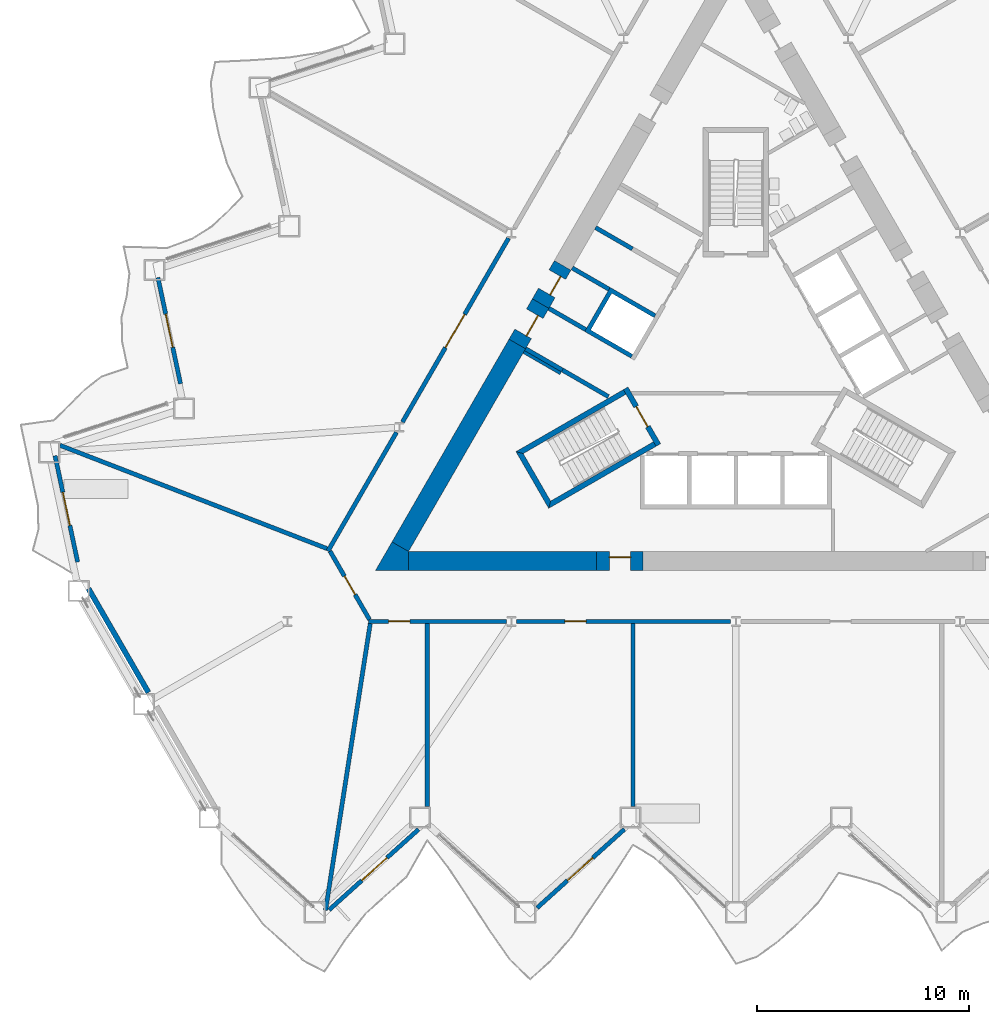
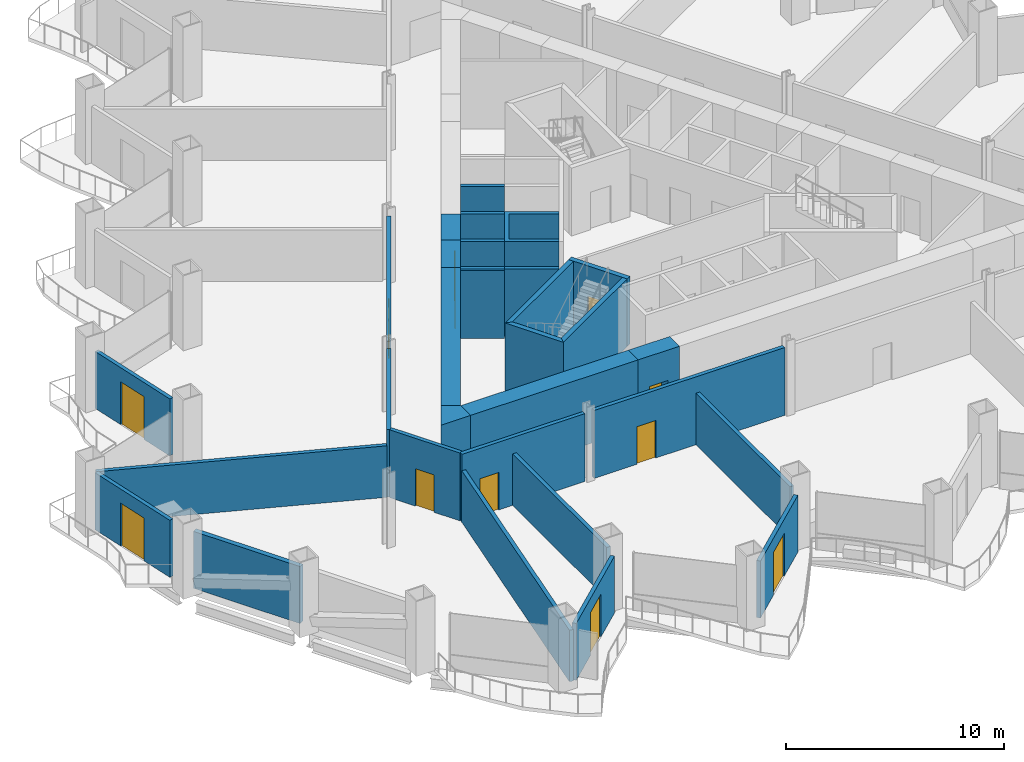
# One storey, part 9 of 21: 31 walls, 12 doors, 12 openings.
"""IFC4 building model written with IfcOpenShell, lengths in metres."""

from ifc_helpers import new_model, si_unit, direction, frame, frame_2d, origin, place, context, subcontext, project, spatial, polyline, rectangle, outline, extrude, material, layer, layer_set, type_object, element, fill, save


model = new_model("IFC4")

# Units and contexts
model_context = context("Model", 3, precision=1e-05, world=origin(), true_north=direction((0.0, 1.0)))
body_context = subcontext(model_context, "Body", "Model", "MODEL_VIEW")
ifc_project = project(units=[si_unit("LENGTHUNIT", "METRE"), si_unit("AREAUNIT", "SQUARE_METRE"), si_unit("VOLUMEUNIT", "CUBIC_METRE"), si_unit("PLANEANGLEUNIT", "RADIAN"), si_unit("MASSUNIT", "GRAM", prefix="KILO")], contexts=[model_context])

# Site, building, storey
site_placement = place(None, origin())
site = spatial("IfcSite", under=ifc_project, at=site_placement, CompositionType="ELEMENT")
building_placement = place(site_placement, origin())
building = spatial("IfcBuilding", under=site, at=building_placement, Name="Cormorant Prow Tower", CompositionType="ELEMENT")
storey_placement = place(building_placement, frame((0.0, 0.0, 46.800048828125)))
storey = spatial("IfcBuildingStorey", under=building, at=storey_placement, Name="L09", CompositionType="ELEMENT", Elevation=46.800048828125)

# Walls
ifc_material_1 = material(Name="Gypsum board partition")
ifc_layer_1 = layer(ifc_material_1, 0.14990234375)
ifc_layer_set_1 = layer_set([ifc_layer_1], Name="Gypsum board partition")
wall_type_1 = type_object("IfcWallType", Name="Core partition 150", PredefinedType="PARTITIONING", material=ifc_layer_set_1)
wall_1_placement = place(storey_placement, frame((-8.268310546875, -0.509033203125, 0.0), z_axis=(0.0, 0.0, 1.0), x_axis=(-0.866035824272, 0.499981950752, 0.0)))
element("IfcWall", 1, at=wall_1_placement, inside=storey, type_object=wall_type_1, Name="Service room partition", PredefinedType="PARTITIONING", context=body_context, shape_type="SweptSolid", body=[
    extrude(rectangle(XDim=2.0087890625, YDim=0.14990234375, at=frame_2d((1.00439453125, 0.0))), origin(), (0.0, 0.0, 1.0), 3.800048828125),
])
ifc_material_2 = material(Name="Concrete 8000 psi", Category="concrete")
ifc_layer_2 = layer(ifc_material_2, 0.89990234375)
ifc_layer_set_2 = layer_set([ifc_layer_2], Name="Concrete 8000 psi")
wall_type_2 = type_object("IfcWallType", Name="Core shear wall 900", PredefinedType="SHEAR", material=ifc_layer_set_2)
wall_2_placement = place(storey_placement, frame((-15.441162109375, -9.364990234375, 0.0), z_axis=(0.0, 0.0, 1.0), x_axis=(1.0, 0.0, 0.0)))
element("IfcWall", 2, at=wall_2_placement, inside=storey, type_object=wall_type_2, Name="Core wall", PredefinedType="SHEAR", context=body_context, shape_type="SweptSolid", body=[
    extrude(rectangle(XDim=8.87060546875, YDim=0.89990234375, at=frame_2d((4.435302734375, 0.0))), origin(), (0.0, 0.0, 1.0), 3.800048828125),
])
wall_3_placement = place(storey_placement, frame((-10.310302734375, 0.8720703125, 0.0), z_axis=(0.0, 0.0, 1.0), x_axis=(-0.499991697393, -0.866030197244, 0.0)))
element("IfcWall", 3, at=wall_3_placement, inside=storey, type_object=wall_type_2, Name="Core wall", PredefinedType="SHEAR", context=body_context, shape_type="SweptSolid", body=[
    extrude(rectangle(XDim=11.041259765625, YDim=0.89990234375, at=frame_2d((5.5205078125, 0.0))), origin(), (0.0, 0.0, 1.0), 3.800048828125),
])
wall_4_placement = place(storey_placement, origin())
element("IfcWall", 4, at=wall_4_placement, inside=storey, type_object=wall_type_2, Name="Core wall corner", PredefinedType="SHEAR", context=body_context, shape_type="SweptSolid", body=[
    extrude(outline(polyline([(-16.220703125, -8.465087890625), (-15.441162109375, -8.9150390625), (-15.441162109375, -9.81494140625), (-17.0, -9.81494140625), (-16.220703125, -8.465087890625)])), origin(), (0.0, 0.0, 1.0), 3.800048828125),
])

# Wall, opening, door
wall_5_placement = place(storey_placement, frame((-6.570556640625, -9.364990234375, 0.0), z_axis=(0.0, 0.0, 1.0), x_axis=(1.0, 0.0, 0.0)))
wall_5 = element("IfcWall", 5, at=wall_5_placement, inside=storey, type_object=wall_type_2, Name="Core wall door panel", PredefinedType="SHEAR", context=body_context, shape_type="SweptSolid", body=[
    extrude(rectangle(XDim=2.199951171875, YDim=0.89990234375, at=frame_2d((1.10009765625, 0.0))), origin(), (0.0, 0.0, 1.0), 3.800048828125),
])
opening_1_placement = place(wall_5_placement, frame((0.60009765625, 0.0, 0.0)))
opening_1 = element("IfcOpeningElement", 6, at=opening_1_placement, cuts=wall_5, Name="Opening L09-C16", PredefinedType="OPENING", context=body_context, shape_type="SweptSolid", body=[
    extrude(rectangle(XDim=1.0, YDim=2.10009765625, at=frame_2d((0.5, 1.050048828125))), frame((0.0, 0.4599609375, 0.0), z_axis=(0.0, -1.0, 0.0), x_axis=(1.0, 0.0, 0.0)), (0.0, 0.0, 1.0), 0.919921875),
])
ifc_material_3 = material(Name="Painted steel", Category="steel")
door_type_1 = type_object("IfcDoorType", Name="Service door 1000x2100", OperationType="NOTDEFINED", PredefinedType="DOOR", material=ifc_material_3)
door_1_placement = place(opening_1_placement, origin())
door_1 = element("IfcDoor", 7, at=door_1_placement, inside=storey, type_object=door_type_1, Name="Core door, Pantry store", OperationType="SINGLE_SWING_RIGHT", OverallHeight=2.10009765625, OverallWidth=1.0, PredefinedType="DOOR", context=body_context, shape_type="SweptSolid", body=[
    extrude(rectangle(XDim=1.0, YDim=2.10009765625, at=frame_2d((0.5, 1.050048828125))), frame((0.0, 0.205078125, 0.0), z_axis=(0.0, -1.0, 0.0), x_axis=(1.0, 0.0, 0.0)), (0.0, 0.0, 1.0), 0.050048828125),
])
fill(opening_1, door_1)

wall_6_placement = place(storey_placement, frame((-8.17041015625, 4.57861328125, 0.0), z_axis=(0.0, 0.0, 1.0), x_axis=(-0.499888406853, -0.866089822532, 0.0)))
wall_6 = element("IfcWall", 8, at=wall_6_placement, inside=storey, type_object=wall_type_2, Name="Core wall door panel", PredefinedType="SHEAR", context=body_context, shape_type="SweptSolid", body=[
    extrude(rectangle(XDim=2.080078125, YDim=0.89990234375, at=frame_2d((1.0400390625, 0.0))), origin(), (0.0, 0.0, 1.0), 3.800048828125),
])
opening_2_placement = place(wall_6_placement, frame((0.5, 0.0, 0.0)))
opening_2 = element("IfcOpeningElement", 9, at=opening_2_placement, cuts=wall_6, Name="Opening L09-C19", PredefinedType="OPENING", context=body_context, shape_type="SweptSolid", body=[
    extrude(rectangle(XDim=1.0, YDim=2.10009765625, at=frame_2d((0.5, 1.050048828125))), frame((0.0, 0.4599609375, 0.0), z_axis=(0.0, -1.0, 0.0), x_axis=(1.0, 0.0, 0.0)), (0.0, 0.0, 1.0), 0.919921875),
])
door_2_placement = place(opening_2_placement, origin())
door_2 = element("IfcDoor", 10, at=door_2_placement, inside=storey, type_object=door_type_1, Name="Core door, Telecom room", OperationType="SINGLE_SWING_LEFT", OverallHeight=2.10009765625, OverallWidth=1.0, PredefinedType="DOOR", context=body_context, shape_type="SweptSolid", body=[
    extrude(rectangle(XDim=1.0, YDim=2.10009765625, at=frame_2d((0.5, 1.050048828125))), frame((0.0, 0.205078125, 0.0), z_axis=(0.0, -1.0, 0.0), x_axis=(1.0, 0.0, 0.0)), (0.0, 0.0, 1.0), 0.050048828125),
])
fill(opening_2, door_2)

wall_7_placement = place(storey_placement, frame((-9.210205078125, 2.777099609375, 0.0), z_axis=(0.0, 0.0, 1.0), x_axis=(-0.500077893725, -0.86598042715, 0.0)))
wall_7 = element("IfcWall", 11, at=wall_7_placement, inside=storey, type_object=wall_type_2, Name="Core wall door panel", PredefinedType="SHEAR", context=body_context, shape_type="SweptSolid", body=[
    extrude(rectangle(XDim=2.199951171875, YDim=0.89990234375, at=frame_2d((1.10009765625, 0.0))), origin(), (0.0, 0.0, 1.0), 3.800048828125),
])
opening_3_placement = place(wall_7_placement, frame((0.550048828125, 0.0, 0.0)))
opening_3 = element("IfcOpeningElement", 12, at=opening_3_placement, cuts=wall_7, Name="Opening L09-C24", PredefinedType="OPENING", context=body_context, shape_type="SweptSolid", body=[
    extrude(rectangle(XDim=1.10009765625, YDim=2.10009765625, at=frame_2d((0.550048828125, 1.050048828125))), frame((0.0, 0.4599609375, 0.0), z_axis=(0.0, -1.0, 0.0), x_axis=(1.0, 0.0, 0.0)), (0.0, 0.0, 1.0), 0.919921875),
])
ifc_material_4 = material(Name="Painted steel", Category="steel")
door_type_2 = type_object("IfcDoorType", Name="Core door 1100x2100", OperationType="NOTDEFINED", PredefinedType="DOOR", material=ifc_material_4)
door_3_placement = place(opening_3_placement, origin())
door_3 = element("IfcDoor", 13, at=door_3_placement, inside=storey, type_object=door_type_2, Name="Core door, lift lobby", OperationType="SINGLE_SWING_LEFT", OverallHeight=2.10009765625, OverallWidth=1.10009765625, PredefinedType="DOOR", context=body_context, shape_type="SweptSolid", body=[
    extrude(rectangle(XDim=1.10009765625, YDim=2.10009765625, at=frame_2d((0.550048828125, 1.050048828125))), frame((0.0, 0.205078125, 0.0), z_axis=(0.0, -1.0, 0.0), x_axis=(1.0, 0.0, 0.0)), (0.0, 0.0, 1.0), 0.050048828125),
])
fill(opening_3, door_3)

ifc_material_5 = material(Name="Gypsum board corridor wall")
ifc_layer_3 = layer(ifc_material_5, 0.199951171875)
ifc_layer_set_3 = layer_set([ifc_layer_3], Name="Gypsum board corridor wall")
wall_type_3 = type_object("IfcWallType", Name="Corridor wall 200", PredefinedType="PARTITIONING", material=ifc_layer_set_3)
wall_8_placement = place(storey_placement, frame((-10.336181640625, -12.215087890625, 0.0), z_axis=(0.0, 0.0, 1.0), x_axis=(1.0, 0.0, 0.0)))
wall_8 = element("IfcWall", 14, at=wall_8_placement, inside=storey, type_object=wall_type_3, Name="Corridor wall", PredefinedType="PARTITIONING", context=body_context, shape_type="SweptSolid", body=[
    extrude(rectangle(XDim=10.093994140625, YDim=0.199951171875, at=frame_2d((5.046875, 0.0))), origin(), (0.0, 0.0, 1.0), 3.800048828125),
])
opening_4_placement = place(wall_8_placement, frame((2.27197265625, 0.0, 0.0)))
opening_4 = element("IfcOpeningElement", 15, at=opening_4_placement, cuts=wall_8, Name="Opening L09-F02", PredefinedType="OPENING", context=body_context, shape_type="SweptSolid", body=[
    extrude(rectangle(XDim=1.0, YDim=2.10009765625, at=frame_2d((0.5, 1.050048828125))), frame((0.0, 0.10986328125, 0.0), z_axis=(0.0, -1.0, 0.0), x_axis=(1.0, 0.0, 0.0)), (0.0, 0.0, 1.0), 0.219970703125),
])
ifc_material_6 = material(Name="Timber door leaf", Category="wood")
door_type_3 = type_object("IfcDoorType", Name="Office door 1000x2100", OperationType="NOTDEFINED", PredefinedType="DOOR", material=ifc_material_6)
door_4_placement = place(opening_4_placement, origin())
door_4 = element("IfcDoor", 16, at=door_4_placement, inside=storey, type_object=door_type_3, Name="Tenant suite door", OperationType="SINGLE_SWING_LEFT", OverallHeight=2.10009765625, OverallWidth=1.0, PredefinedType="DOOR", context=body_context, shape_type="SweptSolid", body=[
    extrude(rectangle(XDim=1.0, YDim=2.10009765625, at=frame_2d((0.5, 1.050048828125))), frame((0.0, 0.02490234375, 0.0), z_axis=(0.0, -1.0, 0.0), x_axis=(1.0, 0.0, 0.0)), (0.0, 0.0, 1.0), 0.050048828125),
])
fill(opening_4, door_4)

wall_9_placement = place(storey_placement, frame((-15.727783203125, -2.811279296875, 0.0), z_axis=(0.0, 0.0, 1.0), x_axis=(0.49999175339, 0.866030164915, 0.0)))
wall_9 = element("IfcWall", 17, at=wall_9_placement, inside=storey, type_object=wall_type_3, Name="Corridor wall", PredefinedType="PARTITIONING", context=body_context, shape_type="SweptSolid", body=[
    extrude(rectangle(XDim=10.018798828125, YDim=0.199951171875, at=frame_2d((5.00927734375, 0.0))), origin(), (0.0, 0.0, 1.0), 3.800048828125),
])
opening_5_placement = place(wall_9_placement, frame((4.059326171875, 0.0, 0.0)))
opening_5 = element("IfcOpeningElement", 18, at=opening_5_placement, cuts=wall_9, Name="Opening L09-F16", PredefinedType="OPENING", context=body_context, shape_type="SweptSolid", body=[
    extrude(rectangle(XDim=1.800048828125, YDim=2.10009765625, at=frame_2d((0.89990234375, 1.050048828125))), frame((0.0, 0.10986328125, 0.0), z_axis=(0.0, -1.0, 0.0), x_axis=(1.0, 0.0, 0.0)), (0.0, 0.0, 1.0), 0.219970703125),
])
ifc_material_7 = material(Name="Timber door leaf", Category="wood")
door_type_4 = type_object("IfcDoorType", Name="Double door 1800x2100", OperationType="DOUBLE_DOOR_SINGLE_SWING", PredefinedType="DOOR", material=ifc_material_7)
door_5_placement = place(opening_5_placement, origin())
door_5 = element("IfcDoor", 19, at=door_5_placement, inside=storey, type_object=door_type_4, Name="Open-plan office door", OperationType="DOUBLE_DOOR_SINGLE_SWING", OverallHeight=2.10009765625, OverallWidth=1.800048828125, PredefinedType="DOOR", context=body_context, shape_type="SweptSolid", body=[
    extrude(rectangle(XDim=1.800048828125, YDim=2.10009765625, at=frame_2d((0.89990234375, 1.050048828125))), frame((0.0, 0.02490234375, 0.0), z_axis=(0.0, -1.0, 0.0), x_axis=(1.0, 0.0, 0.0)), (0.0, 0.0, 1.0), 0.050048828125),
])
fill(opening_5, door_5)

wall_10_placement = place(storey_placement, frame((-17.330810546875, -12.215087890625, 0.0), z_axis=(0.0, 0.0, 1.0), x_axis=(1.0, 0.0, 0.0)))
wall_10 = element("IfcWall", 20, at=wall_10_placement, inside=storey, type_object=wall_type_3, Name="Corridor wall", PredefinedType="PARTITIONING", context=body_context, shape_type="SweptSolid", body=[
    extrude(rectangle(XDim=6.510009765625, YDim=0.199951171875, at=frame_2d((3.2548828125, 0.0))), origin(), (0.0, 0.0, 1.0), 3.800048828125),
])
opening_6_placement = place(wall_10_placement, frame((0.951416015625, 0.0, 0.0)))
opening_6 = element("IfcOpeningElement", 21, at=opening_6_placement, cuts=wall_10, Name="Opening L09-F01", PredefinedType="OPENING", context=body_context, shape_type="SweptSolid", body=[
    extrude(rectangle(XDim=1.0, YDim=2.10009765625, at=frame_2d((0.5, 1.050048828125))), frame((0.0, 0.10986328125, 0.0), z_axis=(0.0, -1.0, 0.0), x_axis=(1.0, 0.0, 0.0)), (0.0, 0.0, 1.0), 0.219970703125),
])
door_6_placement = place(opening_6_placement, origin())
door_6 = element("IfcDoor", 22, at=door_6_placement, inside=storey, type_object=door_type_3, Name="Meeting room door", OperationType="SINGLE_SWING_LEFT", OverallHeight=2.10009765625, OverallWidth=1.0, PredefinedType="DOOR", context=body_context, shape_type="SweptSolid", body=[
    extrude(rectangle(XDim=1.0, YDim=2.10009765625, at=frame_2d((0.5, 1.050048828125))), frame((0.0, 0.02490234375, 0.0), z_axis=(0.0, -1.0, 0.0), x_axis=(1.0, 0.0, 0.0)), (0.0, 0.0, 1.0), 0.050048828125),
])
fill(opening_6, door_6)

# Wall
wall_11_placement = place(storey_placement, frame((-19.243896484375, -8.901611328125, 0.0), z_axis=(0.0, 0.0, 1.0), x_axis=(0.499984737558, 0.86603421538, 0.0)))
element("IfcWall", 23, at=wall_11_placement, inside=storey, type_object=wall_type_3, Name="Corridor wall", PredefinedType="PARTITIONING", context=body_context, shape_type="SweptSolid", body=[
    extrude(rectangle(XDim=6.472900390625, YDim=0.199951171875, at=frame_2d((3.236328125, 0.0))), origin(), (0.0, 0.0, 1.0), 3.800048828125),
])

# Wall, opening, door
wall_12_placement = place(storey_placement, frame((-19.143798828125, -8.901611328125, 0.0), z_axis=(0.0, 0.0, 1.0), x_axis=(0.499958791762, -0.866049194065, 0.0)))
wall_12 = element("IfcWall", 24, at=wall_12_placement, inside=storey, type_object=wall_type_3, Name="Corridor wall", PredefinedType="PARTITIONING", context=body_context, shape_type="SweptSolid", body=[
    extrude(rectangle(XDim=3.725830078125, YDim=0.199951171875, at=frame_2d((1.86279296875, 0.0))), origin(), (0.0, 0.0, 1.0), 3.800048828125),
])
opening_7_placement = place(wall_12_placement, frame((1.363037109375, 0.0, 0.0)))
opening_7 = element("IfcOpeningElement", 25, at=opening_7_placement, cuts=wall_12, Name="Opening L09-F17", PredefinedType="OPENING", context=body_context, shape_type="SweptSolid", body=[
    extrude(rectangle(XDim=1.0, YDim=2.10009765625, at=frame_2d((0.5, 1.050048828125))), frame((0.0, 0.10986328125, 0.0), z_axis=(0.0, -1.0, 0.0), x_axis=(1.0, 0.0, 0.0)), (0.0, 0.0, 1.0), 0.219970703125),
])
door_7_placement = place(opening_7_placement, origin())
door_7 = element("IfcDoor", 26, at=door_7_placement, inside=storey, type_object=door_type_3, Name="Tenant reception door", OperationType="SINGLE_SWING_LEFT", OverallHeight=2.10009765625, OverallWidth=1.0, PredefinedType="DOOR", context=body_context, shape_type="SweptSolid", body=[
    extrude(rectangle(XDim=1.0, YDim=2.10009765625, at=frame_2d((0.5, 1.050048828125))), frame((0.0, 0.02490234375, 0.0), z_axis=(0.0, -1.0, 0.0), x_axis=(1.0, 0.0, 0.0)), (0.0, 0.0, 1.0), 0.050048828125),
])
fill(opening_7, door_7)

# Walls
ifc_material_8 = material(Name="Gypsum board demising wall")
ifc_layer_4 = layer(ifc_material_8, 0.199951171875)
ifc_layer_set_4 = layer_set([ifc_layer_4], Name="Gypsum board demising wall")
wall_type_4 = type_object("IfcWallType", Name="Demising wall 200", PredefinedType="PARTITIONING", material=ifc_layer_set_4)
wall_13_placement = place(storey_placement, frame((-19.354248046875, -25.8447265625, 0.0), z_axis=(0.0, 0.0, 1.0), x_axis=(0.153927101979, 0.98808220674, 0.0)))
element("IfcWall", 27, at=wall_13_placement, inside=storey, type_object=wall_type_4, Name="Demising wall", PredefinedType="PARTITIONING", context=body_context, shape_type="SweptSolid", body=[
    extrude(rectangle(XDim=13.694091796875, YDim=0.199951171875, at=frame_2d((6.84716796875, 0.0))), origin(), (0.0, 0.0, 1.0), 2.88525390625),
])
wall_14_placement = place(storey_placement, frame((-31.87939453125, -3.908447265625, 0.0), z_axis=(0.0, 0.0, 1.0), x_axis=(0.932669586354, -0.360731815467, 0.0)))
element("IfcWall", 28, at=wall_14_placement, inside=storey, type_object=wall_type_4, Name="Demising wall", PredefinedType="PARTITIONING", context=body_context, shape_type="SweptSolid", body=[
    extrude(rectangle(XDim=13.501220703125, YDim=0.199951171875, at=frame_2d((6.75048828125, 0.0))), origin(), (0.0, 0.0, 1.0), 2.88525390625),
])
for number, where, z_axis, x_axis, name in (
    (29, (-14.55810546875, -20.949951171875, 0.0), (0.0, 0.0, 1.0), (0.0, 1.0, 0.0), "Demising wall"),
    (30, (-4.852783203125, -20.949951171875, 0.0), (0.0, 0.0, 1.0), (0.0, 1.0, 0.0), "Demising wall"),
):
    element("IfcWall", number, at=place(storey_placement, frame(where, z_axis=z_axis, x_axis=x_axis)), inside=storey, type_object=wall_type_4, Name=name, PredefinedType="PARTITIONING", context=body_context, shape_type="SweptSolid", body=[
        extrude(rectangle(XDim=8.635009765625, YDim=0.199951171875, at=frame_2d((4.3173828125, 0.0))), origin(), (0.0, 0.0, 1.0), 2.88525390625),
    ])
ifc_material_9 = material(Name="Concrete 8000 psi", Category="concrete")
ifc_layer_5 = layer(ifc_material_9, 0.199951171875)
ifc_layer_set_5 = layer_set([ifc_layer_5], Name="Concrete 8000 psi")
wall_type_5 = type_object("IfcWallType", Name="Lift shaft wall 200", PredefinedType="SHEAR", material=ifc_layer_set_5)
wall_15_placement = place(storey_placement, origin())
element("IfcWall", 31, at=wall_15_placement, inside=storey, type_object=wall_type_5, Name="Lift shaft walls, WNW block", PredefinedType="SHEAR", context=body_context, shape_type="SweptSolid", body=[
    extrude(outline(polyline([(-6.060546875, -1.697021484375), (-8.230712890625, -0.444091796875), (-8.130859375, -0.27099609375), (-5.96044921875, -1.52392578125), (-6.060546875, -1.697021484375)])), origin(), (0.0, 0.0, 1.0), 3.800048828125),
])
wall_16_placement = place(storey_placement, origin())
element("IfcWall", 32, at=wall_16_placement, inside=storey, type_object=wall_type_5, Name="Lift shaft walls, WNW block", PredefinedType="SHEAR", context=body_context, shape_type="SweptSolid", body=[
    extrude(outline(polyline([(-4.96044921875, 0.2080078125), (-7.130859375, 1.461181640625), (-5.930908203125, 3.53955078125), (-3.760498046875, 2.28662109375), (-3.860595703125, 2.11328125), (-5.852294921875, 3.263427734375), (-6.852294921875, 1.53125), (-4.860595703125, 0.38134765625), (-4.96044921875, 0.2080078125)])), origin(), (0.0, 0.0, 1.0), 3.800048828125),
])
wall_17_placement = place(storey_placement, frame((-4.880859375, 5.3583984375, 0.0), z_axis=(0.0, 0.0, 1.0), x_axis=(-0.866035824272, 0.499981950752, 0.0)))
element("IfcWall", 33, at=wall_17_placement, inside=storey, type_object=wall_type_5, Name="Store side wall", PredefinedType="SHEAR", context=body_context, shape_type="SweptSolid", body=[
    extrude(rectangle(XDim=2.0087890625, YDim=0.199951171875, at=frame_2d((1.00439453125, 0.0))), origin(), (0.0, 0.0, 1.0), 3.800048828125),
])
wall_18_placement = place(storey_placement, frame((-5.980712890625, 3.452880859375, 0.0), z_axis=(0.0, 0.0, 1.0), x_axis=(-0.866013584312, 0.500020471368, 0.0)))
element("IfcWall", 34, at=wall_18_placement, inside=storey, type_object=wall_type_5, Name="Store side wall", PredefinedType="SHEAR", context=body_context, shape_type="SweptSolid", body=[
    extrude(rectangle(XDim=2.00927734375, YDim=0.199951171875, at=frame_2d((1.004638671875, 0.0))), origin(), (0.0, 0.0, 1.0), 3.800048828125),
])
wall_19_placement = place(storey_placement, frame((-7.080810546875, 1.547607421875, 0.0), z_axis=(0.0, 0.0, 1.0), x_axis=(-0.865983199114, 0.50007309351, 0.0)))
element("IfcWall", 35, at=wall_19_placement, inside=storey, type_object=wall_type_5, Name="Lobby passage wall", PredefinedType="SHEAR", context=body_context, shape_type="SweptSolid", body=[
    extrude(rectangle(XDim=2.009033203125, YDim=0.199951171875, at=frame_2d((1.00439453125, 0.0))), origin(), (0.0, 0.0, 1.0), 3.800048828125),
])
wall_20_placement = place(storey_placement, frame((-8.180908203125, -0.357421875, 0.0), z_axis=(0.0, 0.0, 1.0), x_axis=(-0.866035824272, 0.499981950752, 0.0)))
element("IfcWall", 36, at=wall_20_placement, inside=storey, type_object=wall_type_5, Name="Lobby passage wall", PredefinedType="SHEAR", context=body_context, shape_type="SweptSolid", body=[
    extrude(rectangle(XDim=2.0087890625, YDim=0.199951171875, at=frame_2d((1.00439453125, 0.0))), origin(), (0.0, 0.0, 1.0), 3.800048828125),
])
ifc_material_10 = material(Name="Concrete 8000 psi", Category="concrete")
ifc_layer_6 = layer(ifc_material_10, 0.25)
ifc_layer_set_6 = layer_set([ifc_layer_6], Name="Concrete 8000 psi")
wall_type_6 = type_object("IfcWallType", Name="Stair wall 250", PredefinedType="SHEAR", material=ifc_layer_set_6)
wall_21_placement = place(storey_placement, origin())
element("IfcWall", 37, at=wall_21_placement, inside=storey, type_object=wall_type_6, Name="Stair ST1 enclosure wall (flank)", PredefinedType="SHEAR", context=body_context, shape_type="SweptSolid", body=[
    extrude(outline(polyline([(-5.30712890625, -1.28125), (-10.37353515625, -4.206298828125), (-10.031982421875, -4.2978515625), (-5.18212890625, -1.497802734375), (-5.30712890625, -1.28125)])), origin(), (0.0, 0.0, 1.0), 3.800048828125),
])
wall_22_placement = place(storey_placement, origin())
element("IfcWall", 38, at=wall_22_placement, inside=storey, type_object=wall_type_6, Name="Stair ST1 enclosure wall (end)", PredefinedType="SHEAR", context=body_context, shape_type="SweptSolid", body=[
    extrude(outline(polyline([(-10.37353515625, -4.206298828125), (-8.82958984375, -6.880615234375), (-8.738037109375, -6.5390625), (-10.031982421875, -4.2978515625), (-10.37353515625, -4.206298828125)])), origin(), (0.0, 0.0, 1.0), 3.800048828125),
])
wall_23_placement = place(storey_placement, origin())
element("IfcWall", 39, at=wall_23_placement, inside=storey, type_object=wall_type_6, Name="Stair ST1 enclosure wall (flank)", PredefinedType="SHEAR", context=body_context, shape_type="SweptSolid", body=[
    extrude(outline(polyline([(-8.738037109375, -6.5390625), (-8.82958984375, -6.880615234375), (-3.76318359375, -3.95556640625), (-3.88818359375, -3.739013671875), (-8.738037109375, -6.5390625)])), origin(), (0.0, 0.0, 1.0), 3.800048828125),
])

# Wall, opening, door
wall_24_placement = place(storey_placement, frame((-5.198974609375, -1.21875, 0.0), z_axis=(0.0, 0.0, 1.0), x_axis=(0.499982516597, -0.866035497597, 0.0)))
wall_24 = element("IfcWall", 40, at=wall_24_placement, inside=storey, type_object=wall_type_6, Name="Stair ST1 door wall", PredefinedType="SHEAR", context=body_context, shape_type="SweptSolid", body=[
    extrude(rectangle(XDim=3.087890625, YDim=0.25, at=frame_2d((1.5439453125, 0.0))), origin(), (0.0, 0.0, 1.0), 3.800048828125),
])
opening_8_placement = place(wall_24_placement, frame((0.993896484375, 0.0, 0.0)))
opening_8 = element("IfcOpeningElement", 41, at=opening_8_placement, cuts=wall_24, Name="Opening L09-C12", PredefinedType="OPENING", context=body_context, shape_type="SweptSolid", body=[
    extrude(rectangle(XDim=1.10009765625, YDim=2.10009765625, at=frame_2d((0.550048828125, 1.050048828125))), frame((0.0, 0.135009765625, 0.0), z_axis=(0.0, -1.0, 0.0), x_axis=(1.0, 0.0, 0.0)), (0.0, 0.0, 1.0), 0.27001953125),
])
ifc_material_11 = material(Name="Painted steel", Category="steel")
door_type_5 = type_object("IfcDoorType", Name="Stair door 1100x2100", OperationType="NOTDEFINED", PredefinedType="DOOR", material=ifc_material_11)
door_8_placement = place(opening_8_placement, origin())
door_8 = element("IfcDoor", 42, at=door_8_placement, inside=storey, type_object=door_type_5, Name="Stair ST1 door", OperationType="SINGLE_SWING_LEFT", OverallHeight=2.10009765625, OverallWidth=1.10009765625, PredefinedType="DOOR", context=body_context, shape_type="SweptSolid", body=[
    extrude(rectangle(XDim=1.10009765625, YDim=2.10009765625, at=frame_2d((0.550048828125, 1.050048828125))), frame((0.0, 0.02490234375, 0.0), z_axis=(0.0, -1.0, 0.0), x_axis=(1.0, 0.0, 0.0)), (0.0, 0.0, 1.0), 0.050048828125),
])
fill(opening_8, door_8)

# Wall
ifc_material_12 = material(Name="Terracotta", Category="masonry")
ifc_layer_7 = layer(ifc_material_12, 0.25)
ifc_layer_set_7 = layer_set([ifc_layer_7], Name="Terracotta")
wall_type_7 = type_object("IfcWallType", Name="Terracotta bay wall 250", PredefinedType="SOLIDWALL", material=ifc_layer_set_7)
wall_25_placement = place(storey_placement, frame((-30.540283203125, -10.665283203125, 0.0), z_axis=(0.0, 0.0, 1.0), x_axis=(0.499985074313, -0.866034020963, 0.0)))
element("IfcWall", 43, at=wall_25_placement, inside=storey, type_object=wall_type_7, Name="Terracotta bay wall WSW00", PredefinedType="SOLIDWALL", context=body_context, shape_type="SweptSolid", body=[
    extrude(rectangle(XDim=5.659912109375, YDim=0.25, at=frame_2d((2.830078125, 0.0))), origin(), (0.0, 0.0, 1.0), 3.18896484375),
])

# Wall, opening, door
ifc_material_13 = material(Name="Terracotta", Category="masonry")
ifc_layer_8 = layer(ifc_material_13, 0.199951171875)
ifc_layer_set_8 = layer_set([ifc_layer_8], Name="Terracotta")
wall_type_8 = type_object("IfcWallType", Name="Terracotta jamb wall 200", PredefinedType="SOLIDWALL", material=ifc_layer_set_8)
wall_26_placement = place(storey_placement, frame((-19.1865234375, -25.8203125, 0.0), z_axis=(0.0, 0.0, 1.0), x_axis=(0.743142396166, 0.669133304373, 0.0)))
wall_26 = element("IfcWall", 44, at=wall_26_placement, inside=storey, type_object=wall_type_8, Name="Terracotta jamb wall S01", PredefinedType="SOLIDWALL", context=body_context, shape_type="SweptSolid", body=[
    extrude(rectangle(XDim=5.680419921875, YDim=0.199951171875, at=frame_2d((2.84033203125, 0.0))), origin(), (0.0, 0.0, 1.0), 3.18896484375),
])
opening_9_placement = place(wall_26_placement, frame((2.0732421875, 0.0, 0.0)))
opening_9 = element("IfcOpeningElement", 45, at=opening_9_placement, cuts=wall_26, Name="Opening ED09.01", PredefinedType="OPENING", context=body_context, shape_type="SweptSolid", body=[
    extrude(rectangle(XDim=1.60009765625, YDim=2.39990234375, at=frame_2d((0.800048828125, 1.199951171875))), frame((0.0, 0.10986328125, 0.0), z_axis=(0.0, -1.0, 0.0), x_axis=(1.0, 0.0, 0.0)), (0.0, 0.0, 1.0), 0.219970703125),
])
ifc_material_14 = material(Name="Aluminium 6063-T6", Category="aluminium")
door_type_6 = type_object("IfcDoorType", Name="Balcony door 1600x2400", OperationType="DOUBLE_DOOR_SINGLE_SWING", PredefinedType="DOOR", material=ifc_material_14)
door_9_placement = place(opening_9_placement, origin())
door_9 = element("IfcDoor", 46, at=door_9_placement, inside=storey, type_object=door_type_6, Name="Balcony door S01 ED09.01", OperationType="DOUBLE_DOOR_SINGLE_SWING", OverallHeight=2.39990234375, OverallWidth=1.60009765625, PredefinedType="DOOR", context=body_context, shape_type="SweptSolid", body=[
    extrude(rectangle(XDim=1.60009765625, YDim=2.39990234375, at=frame_2d((0.800048828125, 1.199951171875))), frame((0.0, 0.02490234375, 0.0), z_axis=(0.0, -1.0, 0.0), x_axis=(1.0, 0.0, 0.0)), (0.0, 0.0, 1.0), 0.050048828125),
])
fill(opening_9, door_9)

wall_27_placement = place(storey_placement, frame((-9.378662109375, -25.727783203125, 0.0), z_axis=(0.0, 0.0, 1.0), x_axis=(0.743160522465, 0.669113172677, 0.0)))
wall_27 = element("IfcWall", 47, at=wall_27_placement, inside=storey, type_object=wall_type_8, Name="Terracotta jamb wall S03", PredefinedType="SOLIDWALL", context=body_context, shape_type="SweptSolid", body=[
    extrude(rectangle(XDim=5.54248046875, YDim=0.199951171875, at=frame_2d((2.771240234375, 0.0))), origin(), (0.0, 0.0, 1.0), 3.18896484375),
])
opening_10_placement = place(wall_27_placement, frame((1.935302734375, 0.0, 0.0)))
opening_10 = element("IfcOpeningElement", 48, at=opening_10_placement, cuts=wall_27, Name="Opening ED09.02", PredefinedType="OPENING", context=body_context, shape_type="SweptSolid", body=[
    extrude(rectangle(XDim=1.60009765625, YDim=2.39990234375, at=frame_2d((0.800048828125, 1.199951171875))), frame((0.0, 0.10986328125, 0.0), z_axis=(0.0, -1.0, 0.0), x_axis=(1.0, 0.0, 0.0)), (0.0, 0.0, 1.0), 0.219970703125),
])
door_10_placement = place(opening_10_placement, origin())
door_10 = element("IfcDoor", 49, at=door_10_placement, inside=storey, type_object=door_type_6, Name="Balcony door S03 ED09.02", OperationType="DOUBLE_DOOR_SINGLE_SWING", OverallHeight=2.39990234375, OverallWidth=1.60009765625, PredefinedType="DOOR", context=body_context, shape_type="SweptSolid", body=[
    extrude(rectangle(XDim=1.60009765625, YDim=2.39990234375, at=frame_2d((0.800048828125, 1.199951171875))), frame((0.0, 0.02490234375, 0.0), z_axis=(0.0, -1.0, 0.0), x_axis=(1.0, 0.0, 0.0)), (0.0, 0.0, 1.0), 0.050048828125),
])
fill(opening_10, door_10)

wall_28_placement = place(storey_placement, frame((-27.260986328125, 4.00634765625, 0.0), z_axis=(0.0, 0.0, 1.0), x_axis=(0.207885539143, -0.978153159079, 0.0)))
wall_28 = element("IfcWall", 50, at=wall_28_placement, inside=storey, type_object=wall_type_8, Name="Terracotta jamb wall WNW07", PredefinedType="SOLIDWALL", context=body_context, shape_type="SweptSolid", body=[
    extrude(rectangle(XDim=5.1240234375, YDim=0.199951171875, at=frame_2d((2.56201171875, 0.0))), origin(), (0.0, 0.0, 1.0), 3.18896484375),
])
opening_11_placement = place(wall_28_placement, frame((1.761962890625, 0.0, 0.0)))
opening_11 = element("IfcOpeningElement", 51, at=opening_11_placement, cuts=wall_28, Name="Opening ED09.14", PredefinedType="OPENING", context=body_context, shape_type="SweptSolid", body=[
    extrude(rectangle(XDim=1.60009765625, YDim=2.39990234375, at=frame_2d((0.800048828125, 1.199951171875))), frame((0.0, 0.10986328125, 0.0), z_axis=(0.0, -1.0, 0.0), x_axis=(1.0, 0.0, 0.0)), (0.0, 0.0, 1.0), 0.219970703125),
])
door_11_placement = place(opening_11_placement, origin())
door_11 = element("IfcDoor", 52, at=door_11_placement, inside=storey, type_object=door_type_6, Name="Balcony door WNW07 ED09.14", OperationType="DOUBLE_DOOR_SINGLE_SWING", OverallHeight=2.39990234375, OverallWidth=1.60009765625, PredefinedType="DOOR", context=body_context, shape_type="SweptSolid", body=[
    extrude(rectangle(XDim=1.60009765625, YDim=2.39990234375, at=frame_2d((0.800048828125, 1.199951171875))), frame((0.0, 0.02490234375, 0.0), z_axis=(0.0, -1.0, 0.0), x_axis=(1.0, 0.0, 0.0)), (0.0, 0.0, 1.0), 0.050048828125),
])
fill(opening_11, door_11)

wall_29_placement = place(storey_placement, frame((-32.11376953125, -4.398681640625, 0.0), z_axis=(0.0, 0.0, 1.0), x_axis=(0.207931126702, -0.978143469307, 0.0)))
wall_29 = element("IfcWall", 53, at=wall_29_placement, inside=storey, type_object=wall_type_8, Name="Terracotta jamb wall WNW09", PredefinedType="SOLIDWALL", context=body_context, shape_type="SweptSolid", body=[
    extrude(rectangle(XDim=5.1240234375, YDim=0.199951171875, at=frame_2d((2.56201171875, 0.0))), origin(), (0.0, 0.0, 1.0), 3.18896484375),
])
opening_12_placement = place(wall_29_placement, frame((1.761962890625, 0.0, 0.0)))
opening_12 = element("IfcOpeningElement", 54, at=opening_12_placement, cuts=wall_29, Name="Opening ED09.15", PredefinedType="OPENING", context=body_context, shape_type="SweptSolid", body=[
    extrude(rectangle(XDim=1.60009765625, YDim=2.39990234375, at=frame_2d((0.800048828125, 1.199951171875))), frame((0.0, 0.10986328125, 0.0), z_axis=(0.0, -1.0, 0.0), x_axis=(1.0, 0.0, 0.0)), (0.0, 0.0, 1.0), 0.219970703125),
])
door_12_placement = place(opening_12_placement, origin())
door_12 = element("IfcDoor", 55, at=door_12_placement, inside=storey, type_object=door_type_6, Name="Balcony door WNW09 ED09.15", OperationType="DOUBLE_DOOR_SINGLE_SWING", OverallHeight=2.39990234375, OverallWidth=1.60009765625, PredefinedType="DOOR", context=body_context, shape_type="SweptSolid", body=[
    extrude(rectangle(XDim=1.60009765625, YDim=2.39990234375, at=frame_2d((0.800048828125, 1.199951171875))), frame((0.0, 0.02490234375, 0.0), z_axis=(0.0, -1.0, 0.0), x_axis=(1.0, 0.0, 0.0)), (0.0, 0.0, 1.0), 0.050048828125),
])
fill(opening_12, door_12)

save(model, "model.ifc")
